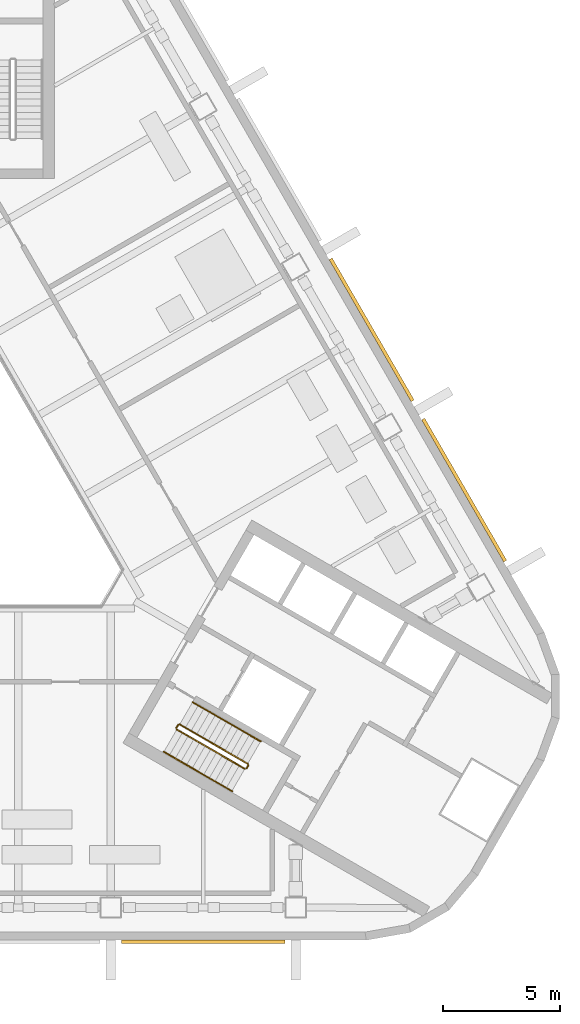
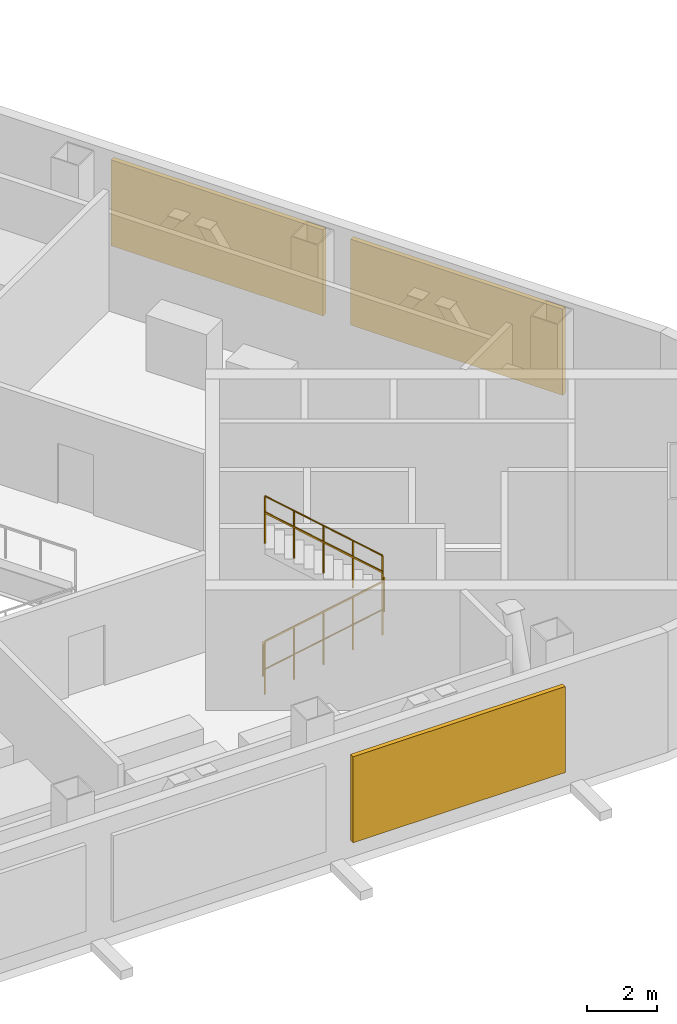
# One storey, part 13 of 15: 6 railings, 3 shading devices.
"""IFC4 building model written with IfcOpenShell, lengths in metres."""

from ifc_helpers import new_model, si_unit, direction, frame, origin, origin_2d, place, context, subcontext, project, spatial, rectangle, circle, extrude, material, type_object, element, save


model = new_model("IFC4")

# Units and contexts
model_context = context("Model", 3, precision=1e-05, world=origin(), true_north=direction((0.0, 1.0)))
body_context = subcontext(model_context, "Body", "Model", "MODEL_VIEW")
ifc_project = project(units=[si_unit("LENGTHUNIT", "METRE"), si_unit("AREAUNIT", "SQUARE_METRE"), si_unit("VOLUMEUNIT", "CUBIC_METRE"), si_unit("PLANEANGLEUNIT", "RADIAN"), si_unit("MASSUNIT", "GRAM", prefix="KILO")], contexts=[model_context])

# Site, building, storey
site_placement = place(None, origin())
site = spatial("IfcSite", under=ifc_project, at=site_placement, CompositionType="ELEMENT")
building_placement = place(site_placement, origin())
building = spatial("IfcBuilding", under=site, at=building_placement, Name="Apuvela Tower Hotel", CompositionType="ELEMENT")
storey_placement = place(building_placement, frame((0.0, 0.0, 137.60009765625)))
storey = spatial("IfcBuildingStorey", under=building, at=storey_placement, Name="L32 Plant", CompositionType="ELEMENT", Elevation=137.60009765625)

# Railings
ifc_material_1 = material(Name="Steel S275 balustrade", Category="steel")
railing_type_1 = type_object("IfcRailingType", Name="COR-GUARD-1100", PredefinedType="GUARDRAIL", material=ifc_material_1)
railing_1_placement = place(storey_placement, frame((10.718994140625, -10.63427734375, 0.173095703125)))
element("IfcRailing", 1, at=railing_1_placement, inside=storey, type_object=railing_type_1, Name="L32 Plant ST3 stair guard 1", PredefinedType="GUARDRAIL", context=body_context, shape_type="SweptSolid", body=[
    extrude(rectangle(XDim=0.048095703125, YDim=0.048095703125, at=origin_2d()), frame((0.0, 0.0, 1.076171875), z_axis=(0.736667954249, -0.425288379326, 0.525785240943), x_axis=(0.499976138585, 0.866039179741, 0.0)), (0.0, 0.0, 1.0), 3.9501953125),
    extrude(rectangle(XDim=0.0419921875, YDim=0.0419921875, at=origin_2d()), origin(), (0.0, 0.0, 1.0), 1.052001953125),
    extrude(rectangle(XDim=0.0419921875, YDim=0.0419921875, at=origin_2d()), frame((0.7275390625, -0.419921875, 0.519287109375)), (0.0, 0.0, 1.0), 1.052001953125),
    extrude(rectangle(XDim=0.0419921875, YDim=0.0419921875, at=origin_2d()), frame((1.455078125, -0.83984375, 1.03857421875)), (0.0, 0.0, 1.0), 1.052001953125),
    extrude(rectangle(XDim=0.0419921875, YDim=0.0419921875, at=origin_2d()), frame((2.182373046875, -1.260009765625, 1.5576171875)), (0.0, 0.0, 1.0), 1.052001953125),
    extrude(rectangle(XDim=0.0419921875, YDim=0.0419921875, at=origin_2d()), frame((2.909912109375, -1.679931640625, 2.076904296875)), (0.0, 0.0, 1.0), 1.052001953125),
])
railing_2_placement = place(storey_placement, frame((13.697021484375, -12.2958984375, 2.25)))
element("IfcRailing", 2, at=railing_2_placement, inside=storey, type_object=railing_type_1, Name="L32 Plant ST3 stair guard 2", PredefinedType="GUARDRAIL", context=body_context, shape_type="SweptSolid", body=[
    extrude(rectangle(XDim=0.048095703125, YDim=0.048095703125, at=origin_2d()), frame((0.0, 0.0, 1.076171875), z_axis=(0.501036270542, 0.865426285481, 0.0), x_axis=(-0.865426285481, 0.501036270542, 0.0)), (0.0, 0.0, 1.0), 0.150146484375),
    extrude(rectangle(XDim=0.0419921875, YDim=0.0419921875, at=origin_2d()), origin(), (0.0, 0.0, 1.0), 1.052001953125),
    extrude(rectangle(XDim=0.0419921875, YDim=0.0419921875, at=origin_2d()), frame((0.0751953125, 0.1298828125, 0.0)), (0.0, 0.0, 1.0), 1.052001953125),
])
railing_3_placement = place(storey_placement, frame((13.75390625, -12.09765625, 2.423095703125)))
element("IfcRailing", 3, at=railing_3_placement, inside=storey, type_object=railing_type_1, Name="L32 Plant ST3 stair guard 3", PredefinedType="GUARDRAIL", context=body_context, shape_type="SweptSolid", body=[
    extrude(rectangle(XDim=0.048095703125, YDim=0.048095703125, at=origin_2d()), frame((0.0, 0.0, 1.076171875), z_axis=(-0.736667954249, 0.425288379326, 0.525785240943), x_axis=(-0.499976138585, -0.866039179741, 0.0)), (0.0, 0.0, 1.0), 3.9501953125),
    extrude(rectangle(XDim=0.0419921875, YDim=0.0419921875, at=origin_2d()), origin(), (0.0, 0.0, 1.0), 1.052001953125),
    extrude(rectangle(XDim=0.0419921875, YDim=0.0419921875, at=origin_2d()), frame((-0.7275390625, 0.419921875, 0.519287109375)), (0.0, 0.0, 1.0), 1.052001953125),
    extrude(rectangle(XDim=0.0419921875, YDim=0.0419921875, at=origin_2d()), frame((-1.455078125, 0.83984375, 1.03857421875)), (0.0, 0.0, 1.0), 1.052001953125),
    extrude(rectangle(XDim=0.0419921875, YDim=0.0419921875, at=origin_2d()), frame((-2.182373046875, 1.260009765625, 1.5576171875)), (0.0, 0.0, 1.0), 1.052001953125),
    extrude(rectangle(XDim=0.0419921875, YDim=0.0419921875, at=origin_2d()), frame((-2.909912109375, 1.679931640625, 2.076904296875)), (0.0, 0.0, 1.0), 1.052001953125),
])
railing_4_placement = place(storey_placement, frame((10.70068359375, -10.56591796875, 0.0)))
element("IfcRailing", 4, at=railing_4_placement, inside=storey, type_object=railing_type_1, Name="L32 Plant ST3 stair guard 4", PredefinedType="GUARDRAIL", context=body_context, shape_type="SweptSolid", body=[
    extrude(rectangle(XDim=0.048095703125, YDim=0.048095703125, at=origin_2d()), frame((0.0, 0.0, 1.076171875), z_axis=(0.499816412211, 0.866131372301, 0.0), x_axis=(-0.866131372301, 0.499816412211, 0.0)), (0.0, 0.0, 1.0), 0.14990234375),
    extrude(rectangle(XDim=0.0419921875, YDim=0.0419921875, at=origin_2d()), origin(), (0.0, 0.0, 1.0), 1.052001953125),
    extrude(rectangle(XDim=0.0419921875, YDim=0.0419921875, at=origin_2d()), frame((0.074951171875, 0.1298828125, 0.0)), (0.0, 0.0, 1.0), 1.052001953125),
])
ifc_material_2 = material(Name="Stainless steel 316 handrail", Category="steel")
railing_type_2 = type_object("IfcRailingType", Name="COR-HANDRAIL-900", PredefinedType="HANDRAIL", material=ifc_material_2)
railing_5_placement = place(storey_placement, frame((10.1689453125, -11.5869140625, 0.173095703125)))
element("IfcRailing", 5, at=railing_5_placement, inside=storey, type_object=railing_type_2, Name="L32 Plant ST3 stair handrail 1", PredefinedType="HANDRAIL", context=body_context, shape_type="SweptSolid", body=[
    extrude(circle(Radius=0.02392578125, at=origin_2d()), frame((0.0, 0.0, 0.8759765625), z_axis=(0.736667954249, -0.425288379326, 0.525785240943), x_axis=(0.499976138585, 0.866039179741, 0.0)), (0.0, 0.0, 1.0), 3.9501953125),
    extrude(rectangle(XDim=0.0419921875, YDim=0.0419921875, at=origin_2d()), origin(), (0.0, 0.0, 1.0), 0.851806640625),
    extrude(rectangle(XDim=0.0419921875, YDim=0.0419921875, at=origin_2d()), frame((0.7275390625, -0.419921875, 0.519287109375)), (0.0, 0.0, 1.0), 0.851806640625),
    extrude(rectangle(XDim=0.0419921875, YDim=0.0419921875, at=origin_2d()), frame((1.455078125, -0.83984375, 1.03857421875)), (0.0, 0.0, 1.0), 0.851806640625),
    extrude(rectangle(XDim=0.0419921875, YDim=0.0419921875, at=origin_2d()), frame((2.182373046875, -1.260009765625, 1.5576171875)), (0.0, 0.0, 1.0), 0.851806640625),
    extrude(rectangle(XDim=0.0419921875, YDim=0.0419921875, at=origin_2d()), frame((2.909912109375, -1.679931640625, 2.076904296875)), (0.0, 0.0, 1.0), 0.851806640625),
])
railing_6_placement = place(storey_placement, frame((14.3037109375, -11.14501953125, 2.423095703125)))
element("IfcRailing", 6, at=railing_6_placement, inside=storey, type_object=railing_type_2, Name="L32 Plant ST3 stair handrail 2", PredefinedType="HANDRAIL", context=body_context, shape_type="SweptSolid", body=[
    extrude(circle(Radius=0.02392578125, at=origin_2d()), frame((0.0, 0.0, 0.8759765625), z_axis=(-0.736639687092, 0.425307743487, 0.525809180911), x_axis=(-0.500007602105, -0.866021014662, 0.0)), (0.0, 0.0, 1.0), 3.949951171875),
    extrude(rectangle(XDim=0.0419921875, YDim=0.0419921875, at=origin_2d()), origin(), (0.0, 0.0, 1.0), 0.851806640625),
    extrude(rectangle(XDim=0.0419921875, YDim=0.0419921875, at=origin_2d()), frame((-0.7275390625, 0.419921875, 0.519287109375)), (0.0, 0.0, 1.0), 0.851806640625),
    extrude(rectangle(XDim=0.0419921875, YDim=0.0419921875, at=origin_2d()), frame((-1.454833984375, 0.83984375, 1.03857421875)), (0.0, 0.0, 1.0), 0.851806640625),
    extrude(rectangle(XDim=0.0419921875, YDim=0.0419921875, at=origin_2d()), frame((-2.18212890625, 1.260009765625, 1.5576171875)), (0.0, 0.0, 1.0), 0.851806640625),
    extrude(rectangle(XDim=0.0419921875, YDim=0.0419921875, at=origin_2d()), frame((-2.90966796875, 1.679931640625, 2.076904296875)), (0.0, 0.0, 1.0), 0.851806640625),
])

# Shading devices
ifc_material_3 = material(Name="Aluminium 6063-T6, black anodised louvre blades", Category="aluminium")
shading_device_type = type_object("IfcShadingDeviceType", Name="ENV-LOUVRE-SCREEN", PredefinedType="USERDEFINED", material=ifc_material_3)
for number, where, z_axis, x_axis, name in (
    (7, (11.85009765625, -19.705078125, 0.599853515625), (0.0, 0.0, 1.0), (1.0, 0.0, 0.0), "Plant louvre S4"),
    (8, (22.989990234375, -0.409912109375, 0.599853515625), (0.0, 0.0, 1.0), (-0.5, 0.866025403784, 0.0), "Plant louvre NE5"),
    (9, (19.0400390625, 6.431640625, 0.599853515625), (0.0, 0.0, 1.0), (-0.5, 0.866025403784, 0.0), "Plant louvre NE6"),
):
    element("IfcShadingDevice", number, at=place(storey_placement, frame(where, z_axis=z_axis, x_axis=x_axis)), inside=storey, type_object=shading_device_type, Name=name, ObjectType="LOUVRE", PredefinedType="USERDEFINED", context=body_context, shape_type="SweptSolid", body=[
        extrude(rectangle(XDim=7.0, YDim=0.14990234375, at=origin_2d()), origin(), (0.0, 0.0, 1.0), 3.0),
    ])

save(model, "model.ifc")
